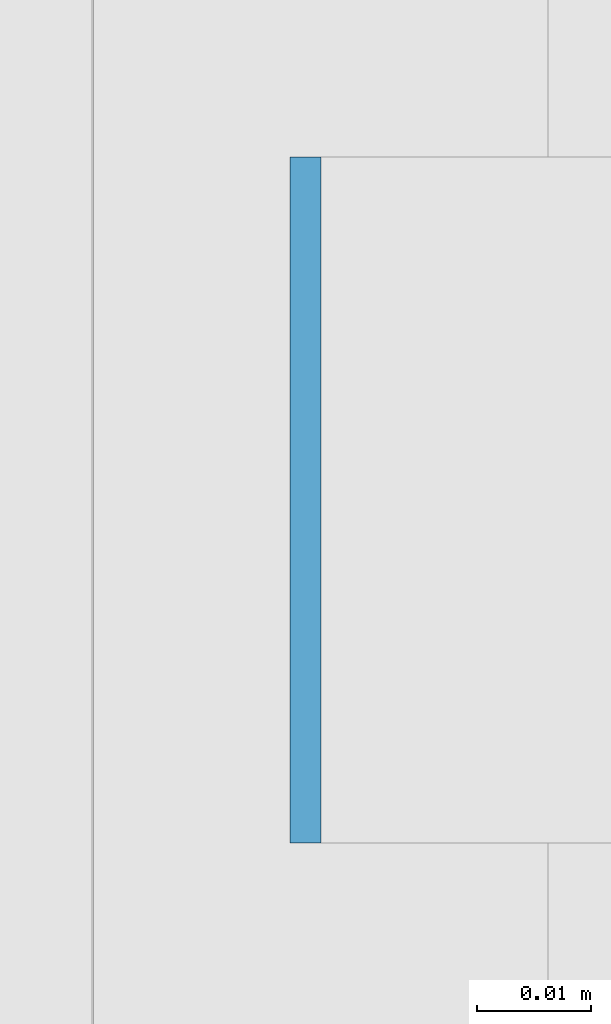
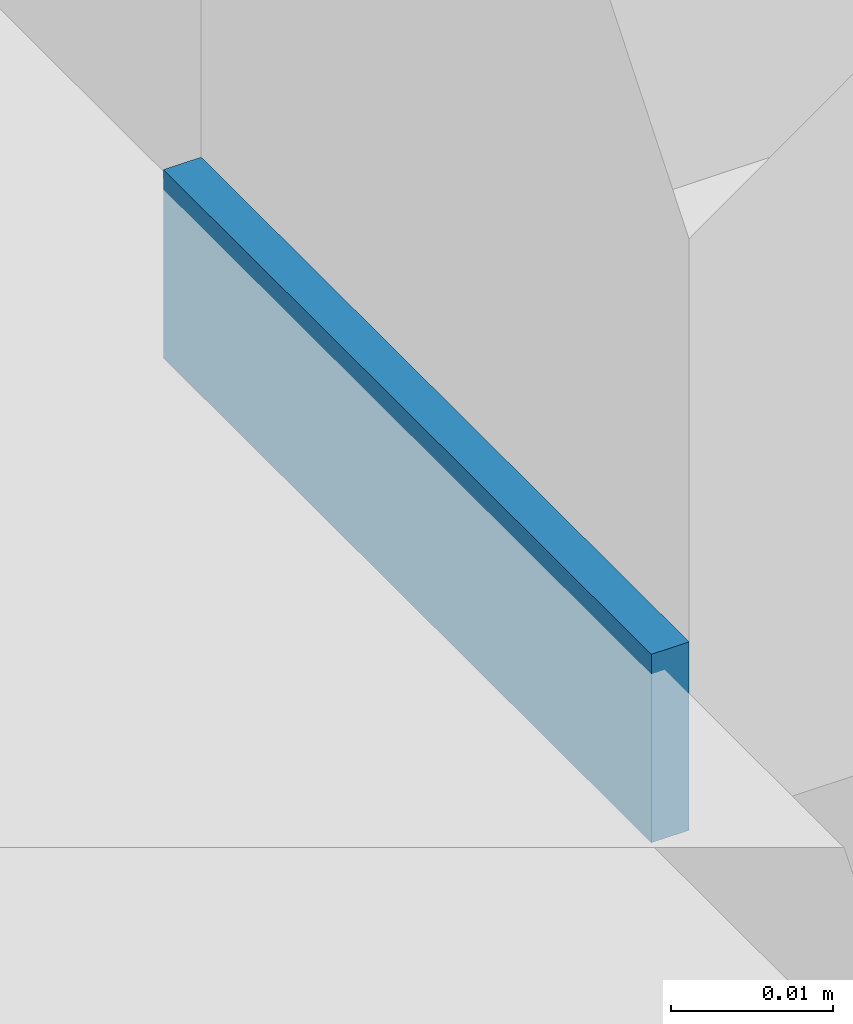
# One storey, part 528 of 646: 1 discrete accessory.
"""IFC4 building model written with IfcOpenShell, lengths in metres."""

from ifc_helpers import new_model, si_unit, direction, frame, origin, origin_2d, place, context, subcontext, project, spatial, rectangle, extrude, material, type_object, element, save


model = new_model("IFC4")

# Units and contexts
model_context = context("Model", 3, precision=1e-05, world=origin(), true_north=direction((0.0, 1.0)))
body_context = subcontext(model_context, "Body", "Model", "MODEL_VIEW")
ifc_project = project(units=[si_unit("LENGTHUNIT", "METRE"), si_unit("AREAUNIT", "SQUARE_METRE"), si_unit("VOLUMEUNIT", "CUBIC_METRE"), si_unit("PLANEANGLEUNIT", "RADIAN"), si_unit("MASSUNIT", "GRAM", prefix="KILO")], contexts=[model_context])

# Site, building, storey
site_placement = place(None, origin())
site = spatial("IfcSite", under=ifc_project, at=site_placement, CompositionType="ELEMENT")
building_placement = place(site_placement, origin())
building = spatial("IfcBuilding", under=site, at=building_placement, Name="Silverbay Arena", CompositionType="ELEMENT")
storey_placement = place(building_placement, frame((0.0, 0.0, 33.5)))
storey = spatial("IfcBuildingStorey", under=building, at=storey_placement, Name="L05", CompositionType="ELEMENT", Elevation=33.5)

# Discrete accessory
ifc_material = material(Name="Steel S355", Category="steel")
discrete_accessory_type = type_object("IfcDiscreteAccessoryType", Name="Steel bracket plate", PredefinedType="BRACKET", material=ifc_material)
discrete_accessory_placement = place(storey_placement, frame((207.128662109375, 82.28564453125, 4.0), z_axis=(0.0, 0.0, 1.0), x_axis=(1.0, 0.0, 0.0)))
element("IfcDiscreteAccessory", 1, at=discrete_accessory_placement, inside=storey, type_object=discrete_accessory_type, Name="Curtain wall packing plate", PredefinedType="BRACKET", context=body_context, shape_type="SweptSolid", body=[
    extrude(rectangle(XDim=0.002685546875, YDim=0.06005859375, at=origin_2d()), origin(), (0.0, 0.0, 1.0), 0.01416015625),
])

save(model, "model.ifc")
